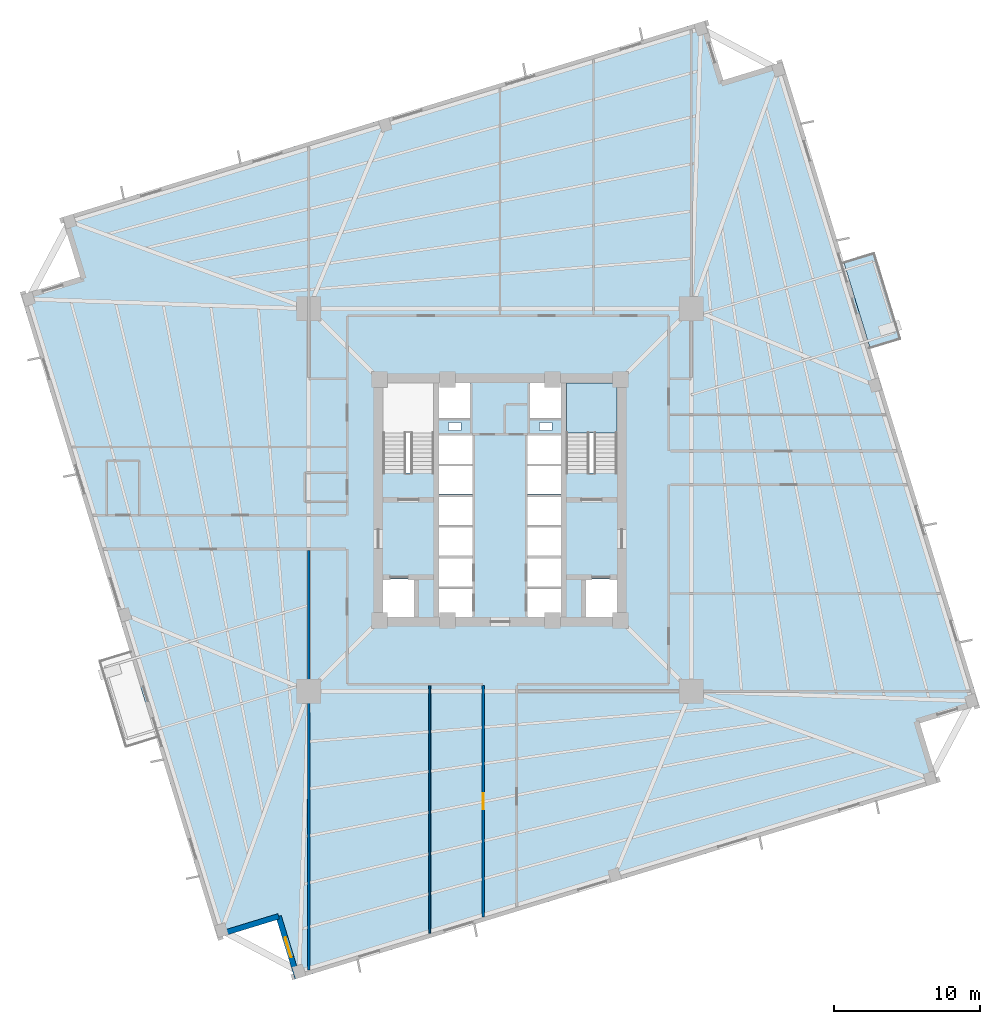
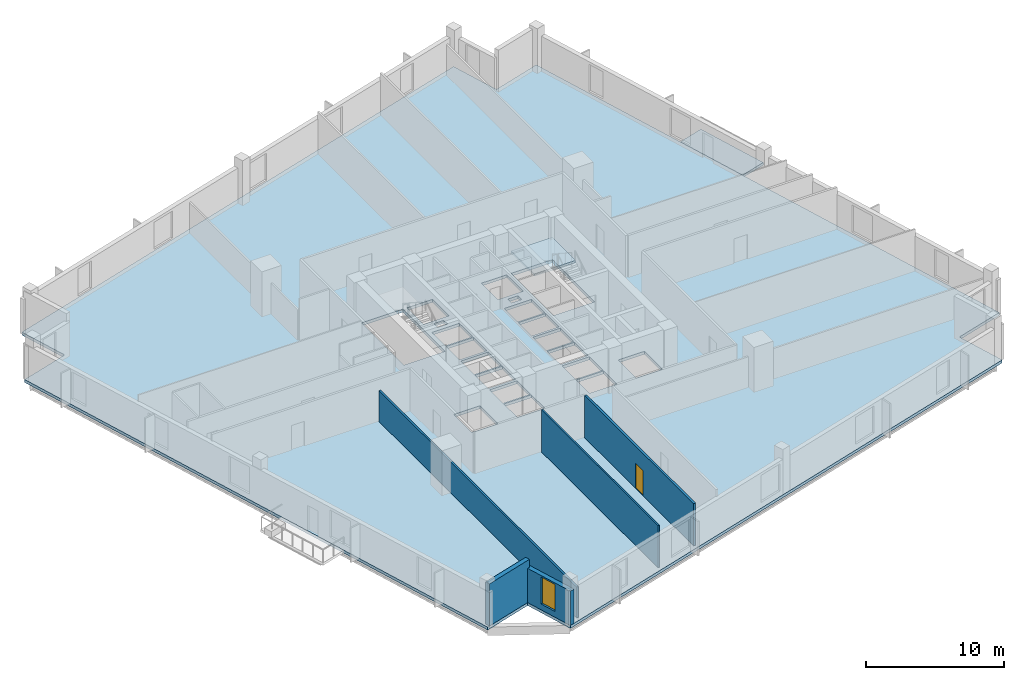
# One storey, part 2 of 9: 5 walls, 3 slabs, 1 door, 1 window, 2 openings, 1 element without a shape of its own.
"""IFC4 building model written with IfcOpenShell, lengths in metres."""

import ifcopenshell
import ifcopenshell.guid

model = None  # the IFC model being written
_history = None  # IfcOwnerHistory: only IFC2X3 demands one
_inside = {}  # id of a spatial element -> (the spatial element, [elements in it])
_under = {}  # id of a project, library or spatial element -> (it, [spatial elements below it])
_declared = {}  # id of a project -> (the project, [libraries it declares])
_typed = {}  # id of a type object -> (the type object, [elements of that type])
_made_of = {}  # id of a material, layer set ... -> (it, [elements and type objects made of it])


def new_model(schema):
    """Start an empty IFC model of exactly this schema.

    Asked for "IFC4X3", IfcOpenShell would pick the latest addendum, in which some entities
    have other attributes; the version numbers below select the first issue.
    IFC2X3 requires an IfcOwnerHistory on every rooted entity: one is made here for all.
    """
    global model, _history
    if schema == "IFC4X3":
        model = ifcopenshell.file(schema_version=(4, 3, 0, 0))
    else:
        model = ifcopenshell.file(schema=schema)
    _inside.clear()
    _under.clear()
    _declared.clear()
    _typed.clear()
    _made_of.clear()
    _history = None
    if model.schema == "IFC2X3":
        org = make("IfcOrganization", Name="unknown")
        user = make(
            "IfcPersonAndOrganization",
            ThePerson=make("IfcPerson", FamilyName="unknown"),
            TheOrganization=org,
        )
        app = make(
            "IfcApplication",
            ApplicationDeveloper=org,
            Version="unknown",
            ApplicationFullName="unknown",
            ApplicationIdentifier="unknown",
        )
        _history = make(
            "IfcOwnerHistory",
            OwningUser=user,
            OwningApplication=app,
            ChangeAction="ADDED",
            CreationDate=0,
        )
    return model


def make(cls, **values):
    """One entity of the class cls with the attributes given. An attribute that is None is left unset."""
    return model.create_entity(
        cls, **{name: value for name, value in values.items() if value is not None}
    )


def rooted(cls, **values):
    """An entity with a GlobalId (a new one), such as an element, a storey or a relation."""
    return make(cls, GlobalId=ifcopenshell.guid.new(), OwnerHistory=_history, **values)


def si_unit(unit_type, name, prefix=None):
    """IfcSIUnit, for example si_unit("LENGTHUNIT", "METRE", prefix="MILLI")."""
    return make("IfcSIUnit", UnitType=unit_type, Prefix=prefix, Name=name)


def assignment(units):
    """IfcUnitAssignment: the units of a project."""
    return None if units is None else make("IfcUnitAssignment", Units=units)


def point(xyz):
    """IfcCartesianPoint."""
    return None if xyz is None else make("IfcCartesianPoint", Coordinates=xyz)


def direction(xyz):
    """IfcDirection."""
    return None if xyz is None else make("IfcDirection", DirectionRatios=xyz)


def frame(location, z_axis=None, x_axis=None):
    """IfcAxis2Placement3D, a coordinate frame: its origin and axes. An axis left out is left unset."""
    return make(
        "IfcAxis2Placement3D",
        Location=point(location),
        Axis=direction(z_axis),
        RefDirection=direction(x_axis),
    )


def frame_2d(location, x_axis=None):
    """IfcAxis2Placement2D, a coordinate frame in the plane: its origin and x axis."""
    return make(
        "IfcAxis2Placement2D", Location=point(location), RefDirection=direction(x_axis)
    )


def origin():
    """The frame at (0, 0, 0) with its axes left unset."""
    return frame((0.0, 0.0, 0.0))


def place(relative_to, where):
    """IfcLocalPlacement: puts the frame where relative to a parent placement (None: the world)."""
    return make(
        "IfcLocalPlacement", PlacementRelTo=relative_to, RelativePlacement=where
    )


def context(
    kind, dimensions, precision=None, world=None, true_north=None, identifier=None
):
    """IfcGeometricRepresentationContext, for example the 3D "Model" context."""
    return make(
        "IfcGeometricRepresentationContext",
        ContextIdentifier=identifier,
        ContextType=kind,
        CoordinateSpaceDimension=dimensions,
        Precision=precision,
        WorldCoordinateSystem=world,
        TrueNorth=true_north,
    )


def subcontext(parent, identifier, kind, view, scale=None):
    """IfcGeometricRepresentationSubContext, for example "Body" below "Model"."""
    return make(
        "IfcGeometricRepresentationSubContext",
        ContextIdentifier=identifier,
        ContextType=kind,
        ParentContext=parent,
        TargetScale=scale,
        TargetView=view,
    )


def project(units=None, contexts=None):
    """IfcProject with its units and contexts."""
    return rooted(
        "IfcProject",
        Name="project",
        RepresentationContexts=contexts,
        UnitsInContext=assignment(units),
    )


def spatial(cls, under=None, at=None, **own):
    """A site, building, storey or space (cls), placed at a placement, below another one or the project."""
    s = rooted(cls, ObjectPlacement=at, **own)
    if under is not None:
        _under.setdefault(under.id(), (under, []))[1].append(s)
    return s


def polyline(points):
    """IfcPolyline through the points."""
    return make("IfcPolyline", Points=[point(p) for p in points])


def profile(cls, at=None, kind="AREA", **sizes):
    """A parametric profile (cls). Its sizes go by their IFC names, for example OverallWidth=200.0."""
    return make(cls, ProfileType=kind, Position=at, **sizes)


def rectangle(**sizes):
    """IfcRectangleProfileDef."""
    return profile("IfcRectangleProfileDef", **sizes)


def outline(outer, holes=None, kind="AREA"):
    """IfcArbitraryClosedProfileDef: a profile drawn as a closed curve; with holes, ...WithVoids."""
    if holes is None:
        return make("IfcArbitraryClosedProfileDef", ProfileType=kind, OuterCurve=outer)
    return make(
        "IfcArbitraryProfileDefWithVoids",
        ProfileType=kind,
        OuterCurve=outer,
        InnerCurves=holes,
    )


def extrude(swept, where, along, depth):
    """IfcExtrudedAreaSolid: the profile swept, set in the frame where, extruded along a direction by depth."""
    return make(
        "IfcExtrudedAreaSolid",
        SweptArea=swept,
        Position=where,
        ExtrudedDirection=direction(along),
        Depth=depth,
    )


def shape(context_of_items, identifier, shape_type, items):
    """IfcShapeRepresentation: the items that make up one representation, for example the "Body"."""
    return make(
        "IfcShapeRepresentation",
        ContextOfItems=context_of_items,
        RepresentationIdentifier=identifier,
        RepresentationType=shape_type,
        Items=items,
    )


def source(mapping_origin, context_of_items, identifier, shape_type, items):
    """IfcRepresentationMap: a shape defined once, which mapped items show again and again."""
    return make(
        "IfcRepresentationMap",
        MappingOrigin=mapping_origin,
        MappedRepresentation=shape(context_of_items, identifier, shape_type, items),
    )


def transform(
    local_origin,
    x_axis=None,
    y_axis=None,
    z_axis=None,
    scale=None,
    scale2=None,
    scale3=None,
    uniform=True,
):
    """IfcCartesianTransformationOperator3D, or its non-uniform kind. x_axis, y_axis, z_axis: its Axis1, 2, 3."""
    if uniform:
        return make(
            "IfcCartesianTransformationOperator3D",
            Axis1=direction(x_axis),
            Axis2=direction(y_axis),
            LocalOrigin=point(local_origin),
            Scale=scale,
            Axis3=direction(z_axis),
        )
    return make(
        "IfcCartesianTransformationOperator3DnonUniform",
        Axis1=direction(x_axis),
        Axis2=direction(y_axis),
        LocalOrigin=point(local_origin),
        Scale=scale,
        Axis3=direction(z_axis),
        Scale2=scale2,
        Scale3=scale3,
    )


def mapped(mapping_source, mapping_target):
    """IfcMappedItem: shows the shape of a source again, moved by a transform."""
    return make(
        "IfcMappedItem", MappingSource=mapping_source, MappingTarget=mapping_target
    )


def material(Name=None, Category=None):
    """IfcMaterial."""
    return make("IfcMaterial", Name=Name, Category=Category)


def layer(
    of_material, thickness, ventilated=None, Name=None, Category=None, Priority=None
):
    """IfcMaterialLayer: one layer of a wall or slab, of a material (None: an air gap)."""
    return make(
        "IfcMaterialLayer",
        Material=of_material,
        LayerThickness=thickness,
        IsVentilated=ventilated,
        Name=Name,
        Category=Category,
        Priority=Priority,
    )


def layer_set(layers, Name=None):
    """IfcMaterialLayerSet."""
    return make("IfcMaterialLayerSet", MaterialLayers=layers, LayerSetName=Name)


def made_of(thing, what):
    """Note that an element or type object is made of a material, layer set ...; save() writes the relation."""
    if what is not None:
        _made_of.setdefault(what.id(), (what, []))[1].append(thing)
    return thing


def type_object(cls, material=None, **own):
    """A type object (cls), such as IfcWallType, which elements share."""
    return made_of(rooted(cls, **own), material)


def element(
    cls,
    number,
    at=None,
    inside=None,
    cuts=None,
    type_object=None,
    material=None,
    context=None,
    identifier="Body",
    shape_type=None,
    held_by="IfcProductDefinitionShape",
    body=None,
    shapes=None,
    **own,
):
    """One element of the class cls, such as IfcWall. Its Tag is "e" and its number.

    at: its placement. inside: the storey or other place that contains it. cuts: it is an
    opening in that element (IfcRelVoidsElement). A single representation is given by context,
    identifier, shape_type and body (its items); several are given by shapes. held_by: the class
    of the entity that holds the representations. save() writes the other relations.
    """
    e = rooted(cls, Tag="e%d" % number, ObjectPlacement=at, **own)
    if body is not None:
        shapes = [shape(context, identifier, shape_type, body)]
    if shapes is not None:
        e.Representation = make(held_by, Representations=shapes)
    if inside is not None:
        _inside.setdefault(inside.id(), (inside, []))[1].append(e)
    if cuts is not None:
        rooted(
            "IfcRelVoidsElement", RelatingBuildingElement=cuts, RelatedOpeningElement=e
        )
    if type_object is not None:
        _typed.setdefault(type_object.id(), (type_object, []))[1].append(e)
    return made_of(e, material)


def fill(opening, filler):
    """IfcRelFillsElement: the door or window that sits in an opening."""
    return rooted(
        "IfcRelFillsElement",
        RelatingOpeningElement=opening,
        RelatedBuildingElement=filler,
    )


def aggregate(whole, parts):
    """IfcRelAggregates: a whole, such as a stair, and the parts it consists of."""
    return rooted("IfcRelAggregates", RelatingObject=whole, RelatedObjects=parts)


def save(model, path):
    """Write the relations noted so far, then the file.

    IfcRelAggregates (storeys below a building ...), IfcRelContainedInSpatialStructure (elements
    in a storey), IfcRelDefinesByType, IfcRelAssociatesMaterial and IfcRelDeclares: one each for
    every whole, place, type object, material and project.
    """
    for whole, parts in _under.values():
        aggregate(whole, parts)
    for where, things in _inside.values():
        rooted(
            "IfcRelContainedInSpatialStructure",
            RelatedElements=things,
            RelatingStructure=where,
        )
    for kind, things in _typed.values():
        rooted("IfcRelDefinesByType", RelatedObjects=things, RelatingType=kind)
    for what, things in _made_of.values():
        rooted("IfcRelAssociatesMaterial", RelatedObjects=things, RelatingMaterial=what)
    for by, libraries in _declared.values():
        rooted("IfcRelDeclares", RelatingContext=by, RelatedDefinitions=libraries)
    model.write(path)


model = new_model("IFC4")

# Units and contexts
model_context = context("Model", 3, precision=1e-05, world=origin(), true_north=direction((0.0, 1.0)))
body_context = subcontext(model_context, "Body", "Model", "MODEL_VIEW")
ifc_project = project(units=[si_unit("LENGTHUNIT", "METRE"), si_unit("AREAUNIT", "SQUARE_METRE"), si_unit("VOLUMEUNIT", "CUBIC_METRE"), si_unit("PLANEANGLEUNIT", "RADIAN"), si_unit("MASSUNIT", "GRAM", prefix="KILO"), si_unit("THERMODYNAMICTEMPERATUREUNIT", "KELVIN")], contexts=[model_context])

# Site, building, storey
site_placement = place(None, origin())
site = spatial("IfcSite", under=ifc_project, at=site_placement, CompositionType="ELEMENT")
building_placement = place(site_placement, origin())
building = spatial("IfcBuilding", under=site, at=building_placement, Name="Kosmvard Interchange Tower", CompositionType="ELEMENT")
storey_placement = place(building_placement, frame((0.0, 0.0, 119.199951171875)))
storey = spatial("IfcBuildingStorey", under=building, at=storey_placement, Name="L28", CompositionType="ELEMENT", Elevation=119.199951171875)

# Slab
ifc_material_1 = material(Name="Concrete C50/60", Category="concrete")
ifc_layer_1 = layer(ifc_material_1, 0.260009765625, Name="Concrete C50/60")
ifc_layer_set_1 = layer_set([ifc_layer_1], Name="Concrete C50/60")
slab_type_1 = type_object("IfcSlabType", Name="Mid-Rise Office Composite Slab 260 C50/60", PredefinedType="FLOOR", material=ifc_layer_set_1)
slab_1_placement = place(storey_placement, frame((0.0, 0.0, -0.260009765625)))
element("IfcSlab", 1, at=slab_1_placement, inside=storey, type_object=slab_type_1, Name="L28 Structural Floor Slab", PredefinedType="FLOOR", context=body_context, shape_type="SweptSolid", body=[
    extrude(outline(polyline([(-14.02783203125, -32.783935546875), (29.962158203125, -19.334716796875), (28.719482421875, -15.2705078125), (32.783935546875, -14.02783203125), (19.334716796875, 29.962158203125), (15.2705078125, 28.719482421875), (14.02783203125, 32.783935546875), (-29.962158203125, 19.334716796875), (-28.719482421875, 15.2705078125), (-32.783935546875, 14.02783203125), (-19.334716796875, -29.962158203125), (-15.2705078125, -28.719482421875), (-14.02783203125, -32.783935546875)]), holes=[polyline([(-8.0, 1.8349609375), (-4.5400390625, 1.8349609375), (-4.5400390625, 8.0), (-8.0, 8.0), (-8.0, 1.8349609375)]), polyline([(4.5400390625, 1.8349609375), (8.0, 1.8349609375), (8.0, 8.0), (4.5400390625, 8.0), (4.5400390625, 1.8349609375)]), polyline([(-8.0, -8.0), (-5.800048828125, -8.0), (-5.800048828125, -5.39990234375), (-8.0, -5.39990234375), (-8.0, -8.0)]), polyline([(5.800048828125, -8.0), (8.0, -8.0), (8.0, -5.39990234375), (5.800048828125, -5.39990234375), (5.800048828125, -8.0)]), polyline([(-4.179931640625, -8.0), (-1.8798828125, -8.0), (-1.8798828125, -6.06005859375), (-4.179931640625, -6.06005859375), (-4.179931640625, -8.0)]), polyline([(-4.179931640625, -5.93994140625), (-1.8798828125, -5.93994140625), (-1.8798828125, -4.0), (-4.179931640625, -4.0), (-4.179931640625, -5.93994140625)]), polyline([(1.8798828125, -8.0), (4.179931640625, -8.0), (4.179931640625, -6.06005859375), (1.8798828125, -6.06005859375), (1.8798828125, -8.0)]), polyline([(1.8798828125, -5.93994140625), (4.179931640625, -5.93994140625), (4.179931640625, -4.0), (1.8798828125, -4.0), (1.8798828125, -5.93994140625)]), polyline([(-4.179931640625, -3.800048828125), (-1.8798828125, -3.800048828125), (-1.8798828125, -1.860107421875), (-4.179931640625, -1.860107421875), (-4.179931640625, -3.800048828125)]), polyline([(-4.179931640625, -1.739990234375), (-1.8798828125, -1.739990234375), (-1.8798828125, 0.199951171875), (-4.179931640625, 0.199951171875), (-4.179931640625, -1.739990234375)]), polyline([(1.8798828125, -3.800048828125), (4.179931640625, -3.800048828125), (4.179931640625, -1.860107421875), (1.8798828125, -1.860107421875), (1.8798828125, -3.800048828125)]), polyline([(1.8798828125, -1.739990234375), (4.179931640625, -1.739990234375), (4.179931640625, 0.199951171875), (1.8798828125, 0.199951171875), (1.8798828125, -1.739990234375)]), polyline([(-4.179931640625, 0.39990234375), (-1.8798828125, 0.39990234375), (-1.8798828125, 2.340087890625), (-4.179931640625, 2.340087890625), (-4.179931640625, 0.39990234375)]), polyline([(-4.179931640625, 2.4599609375), (-1.8798828125, 2.4599609375), (-1.8798828125, 4.39990234375), (-4.179931640625, 4.39990234375), (-4.179931640625, 2.4599609375)]), polyline([(1.8798828125, 0.39990234375), (4.179931640625, 0.39990234375), (4.179931640625, 2.340087890625), (1.8798828125, 2.340087890625), (1.8798828125, 0.39990234375)]), polyline([(1.8798828125, 2.4599609375), (4.179931640625, 2.4599609375), (4.179931640625, 4.39990234375), (1.8798828125, 4.39990234375), (1.8798828125, 2.4599609375)]), polyline([(-4.179931640625, 5.60009765625), (-2.0400390625, 5.60009765625), (-2.0400390625, 8.0), (-4.179931640625, 8.0), (-4.179931640625, 5.60009765625)]), polyline([(2.0400390625, 5.60009765625), (4.179931640625, 5.60009765625), (4.179931640625, 8.0), (2.0400390625, 8.0), (2.0400390625, 5.60009765625)]), polyline([(-3.514892578125, 4.739990234375), (-2.6650390625, 4.739990234375), (-2.6650390625, 5.2900390625), (-3.514892578125, 5.2900390625), (-3.514892578125, 4.739990234375)]), polyline([(2.715087890625, 4.739990234375), (3.56494140625, 4.739990234375), (3.56494140625, 5.2900390625), (2.715087890625, 5.2900390625), (2.715087890625, 4.739990234375)])]), origin(), (0.0, 0.0, 1.0), 0.260009765625),
])

# Stair, slab
stair_type = type_object("IfcStairType", Name="Dog-Leg Core Exit Stair H4000 C50/60", PredefinedType="HALF_TURN_STAIR", material=ifc_material_1)
stair_placement = place(storey_placement, origin())
stair = element("IfcStair", 2, at=stair_placement, inside=storey, type_object=stair_type, Name="L28 Protected Exit Stair ST-2", PredefinedType="HALF_TURN_STAIR")
ifc_layer_2 = layer(ifc_material_1, 0.199951171875, Name="Concrete C50/60")
ifc_layer_set_2 = layer_set([ifc_layer_2], Name="Concrete C50/60")
slab_type_2 = type_object("IfcSlabType", Name="Stair Half-Landing Slab 200 C50/60", PredefinedType="LANDING", material=ifc_layer_set_2)
slab_2_placement = place(storey_placement, frame((0.0, 0.0, 1.800048828125)))
slab_2 = element("IfcSlab", 3, at=slab_2_placement, type_object=slab_type_2, Name="ST-2 landing 1", PredefinedType="LANDING", context=body_context, shape_type="SweptSolid", body=[
    extrude(outline(polyline([(8.0, 4.60009765625), (8.0, 8.0), (4.5400390625, 8.0), (4.5400390625, 4.60009765625), (8.0, 4.60009765625)])), origin(), (0.0, 0.0, 1.0), 0.199951171875),
])
aggregate(stair, [slab_2])

# Slab
ifc_layer_3 = layer(ifc_material_1, 0.22998046875, Name="Concrete C50/60")
ifc_layer_set_3 = layer_set([ifc_layer_3], Name="Concrete C50/60")
slab_type_3 = type_object("IfcSlabType", Name="Tree-Planter Cantilever Balcony Slab 230 C50/60", PredefinedType="FLOOR", material=ifc_layer_set_3)
slab_3_placement = place(storey_placement, frame((0.0, 0.0, -0.22998046875)))
element("IfcSlab", 4, at=slab_3_placement, inside=storey, type_object=slab_type_3, Name="L28 Outdoor Terrace Balcony Slab BAL-L28-E", PredefinedType="FLOOR", context=body_context, shape_type="SweptSolid", body=[
    extrude(outline(polyline([(25.328369140625, 10.35791015625), (27.43212890625, 11.001220703125), (25.61962890625, 16.93017578125), (23.515625, 16.286865234375), (25.328369140625, 10.35791015625)])), origin(), (0.0, 0.0, 1.0), 0.22998046875),
])

# Wall
ifc_material_2 = material(Name="Acoustic gypsum partition system")
ifc_layer_4 = layer(ifc_material_2, 0.14990234375, Name="Acoustic gypsum partition system")
ifc_layer_set_4 = layer_set([ifc_layer_4], Name="Acoustic gypsum partition system")
wall_type_1 = type_object("IfcWallType", Name="Acoustic Suite & Meeting Partition 150", PredefinedType="PARTITIONING", material=ifc_layer_set_4)
wall_1_placement = place(storey_placement, frame((-13.0810546875, -32.1650390625, 0.0), z_axis=(0.0, 0.0, 1.0), x_axis=(0.0, 1.0, 0.0)))
element("IfcWall", 5, at=wall_1_placement, inside=storey, type_object=wall_type_1, Name="L28 Room Partition 11.1", PredefinedType="PARTITIONING", context=body_context, shape_type="SweptSolid", body=[
    extrude(rectangle(XDim=28.719970703125, YDim=0.14990234375, at=frame_2d((14.35986328125, 0.0))), origin(), (0.0, 0.0, 1.0), 2.73193359375),
])

# Wall, opening, door
ifc_material_3 = material(Name="Fire-rated gypsum partition system")
ifc_layer_5 = layer(ifc_material_3, 0.179931640625, Name="Fire-rated gypsum partition system")
ifc_layer_set_5 = layer_set([ifc_layer_5], Name="Fire-rated gypsum partition system")
wall_type_2 = type_object("IfcWallType", Name="Corridor & Hotel Compartment Partition 180", PredefinedType="PARTITIONING", material=ifc_layer_set_5)
wall_2_placement = place(storey_placement, frame((-1.14990234375, -28.517333984375, 0.0), z_axis=(0.0, 0.0, 1.0), x_axis=(0.0, 1.0, 0.0)))
wall_2 = element("IfcWall", 6, at=wall_2_placement, inside=storey, type_object=wall_type_2, Name="L28 Corridor Wall SSW", PredefinedType="PARTITIONING", context=body_context, shape_type="SweptSolid", body=[
    extrude(rectangle(XDim=15.8173828125, YDim=0.179931640625, at=frame_2d((7.90869140625, 0.0))), origin(), (0.0, 0.0, 1.0), 3.739990234375),
])
opening_1_placement = place(wall_2_placement, frame((7.358642578125, 0.0, 0.0)))
opening_1 = element("IfcOpeningElement", 7, at=opening_1_placement, cuts=wall_2, Name="Opening L28-D15", PredefinedType="OPENING", context=body_context, shape_type="SweptSolid", body=[
    extrude(rectangle(XDim=1.10009765625, YDim=2.199951171875, at=frame_2d((0.550048828125, 1.10009765625))), frame((0.0, 0.10009765625, 0.0), z_axis=(0.0, -1.0, 0.0), x_axis=(1.0, 0.0, 0.0)), (0.0, 0.0, 1.0), 0.199951171875),
])
ifc_material_4 = material(Name="Engineered oak fire-rated timber", Category="wood")
door_type = type_object("IfcDoorType", Name="Office Suite Entrance Door 1100x2200 FD30S", OperationType="NOTDEFINED", PredefinedType="DOOR", material=ifc_material_4)
shared_shape_1 = source(origin(), body_context, "Body", "SweptSolid", [
    extrude(rectangle(XDim=1.10009765625, YDim=2.199951171875, at=frame_2d((0.550048828125, 1.10009765625))), frame((0.0, 0.02490234375, 0.0), z_axis=(0.0, -1.0, 0.0), x_axis=(1.0, 0.0, 0.0)), (0.0, 0.0, 1.0), 0.050048828125),
])
door_placement = place(opening_1_placement, origin())
door = element("IfcDoor", 8, at=door_placement, inside=storey, type_object=door_type, Name="L28 Quiet Reading Study Door", OperationType="SINGLE_SWING_LEFT", OverallHeight=2.199951171875, OverallWidth=1.10009765625, PredefinedType="DOOR", context=body_context, shape_type="MappedRepresentation", body=[
    mapped(shared_shape_1, transform((0.0, 0.0, 0.0), scale=1.0)),
])
fill(opening_1, door)

# Wall
ifc_material_5 = material(Name="Precast concrete C45/55", Category="concrete")
ifc_layer_6 = layer(ifc_material_5, 0.3798828125, Name="Precast concrete C45/55")
ifc_layer_set_6 = layer_set([ifc_layer_6], Name="Precast concrete C45/55")
wall_type_3 = type_object("IfcWallType", Name="Lower Tower Precast Pier Wall 380 C45/55", PredefinedType="STANDARD", material=ifc_layer_set_6)
wall_3_placement = place(storey_placement, frame((-19.20849609375, -29.724853515625, 0.0), z_axis=(0.0, 0.0, 1.0), x_axis=(0.956312764915, 0.292345507338, 0.0)))
element("IfcWall", 9, at=wall_3_placement, inside=storey, type_object=wall_type_3, Name="L28 Precast Facade Wall N-SW1", PredefinedType="STANDARD", context=body_context, shape_type="SweptSolid", body=[
    extrude(rectangle(XDim=4.249755859375, YDim=0.3798828125, at=frame_2d((2.125, 0.0))), origin(), (0.0, 0.0, 1.0), 3.739990234375),
])

# Wall, opening, window
wall_4_placement = place(storey_placement, frame((-15.144287109375, -28.482421875, 0.0), z_axis=(0.0, 0.0, 1.0), x_axis=(0.292373601522, -0.956304176051, 0.0)))
wall_4 = element("IfcWall", 10, at=wall_4_placement, inside=storey, type_object=wall_type_3, Name="L28 Precast Facade Wall N-SW2", PredefinedType="STANDARD", context=body_context, shape_type="SweptSolid", body=[
    extrude(rectangle(XDim=4.43994140625, YDim=0.3798828125, at=frame_2d((2.219970703125, 0.0))), origin(), (0.0, 0.0, 1.0), 3.0400390625),
])
opening_2_placement = place(wall_4_placement, frame((1.52001953125, 0.0, 0.510009765625)))
opening_2 = element("IfcOpeningElement", 11, at=opening_2_placement, cuts=wall_4, Name="Opening L28-W23", PredefinedType="OPENING", context=body_context, shape_type="SweptSolid", body=[
    extrude(rectangle(XDim=1.39990234375, YDim=2.39990234375, at=frame_2d((0.699951171875, 1.199951171875))), frame((0.0, 0.199951171875, 0.0), z_axis=(0.0, -1.0, 0.0), x_axis=(1.0, 0.0, 0.0)), (0.0, 0.0, 1.0), 0.39990234375),
])
ifc_material_6 = material(Name="Low-E solar-control double glazing", Category="glass")
window_type = type_object("IfcWindowType", Name="Notched Corner Feature Window 1400x2400", PartitioningType="SINGLE_PANEL", PredefinedType="WINDOW", material=ifc_material_6)
shared_shape_2 = source(origin(), body_context, "Body", "SweptSolid", [
    extrude(rectangle(XDim=1.39990234375, YDim=2.39990234375, at=frame_2d((0.699951171875, 1.199951171875))), frame((0.0, 0.030029296875, 0.0), z_axis=(0.0, -1.0, 0.0), x_axis=(1.0, 0.0, 0.0)), (0.0, 0.0, 1.0), 0.06005859375),
])
window_placement = place(opening_2_placement, origin())
window = element("IfcWindow", 12, at=window_placement, inside=storey, type_object=window_type, Name="L28 Corner Notch Window 23", OverallHeight=2.39990234375, OverallWidth=1.39990234375, PartitioningType="SINGLE_PANEL", PredefinedType="WINDOW", context=body_context, shape_type="MappedRepresentation", body=[
    mapped(shared_shape_2, transform((0.0, 0.0, 0.0), scale=1.0)),
])
fill(opening_2, window)

# Wall
ifc_material_7 = material(Name="Gypsum board partition system")
ifc_layer_7 = layer(ifc_material_7, 0.1201171875, Name="Gypsum board partition system")
ifc_layer_set_7 = layer_set([ifc_layer_7], Name="Gypsum board partition system")
wall_type_4 = type_object("IfcWallType", Name="Office Cellular Partition 120", PredefinedType="PARTITIONING", material=ifc_layer_set_7)
wall_5_placement = place(storey_placement, frame((-4.800048828125, -29.63330078125, 0.0), z_axis=(0.0, 0.0, 1.0), x_axis=(0.0, 1.0, 0.0)))
element("IfcWall", 13, at=wall_5_placement, inside=storey, type_object=wall_type_4, Name="L28 Room Partition 12.1", PredefinedType="PARTITIONING", context=body_context, shape_type="SweptSolid", body=[
    extrude(rectangle(XDim=16.938232421875, YDim=0.1201171875, at=frame_2d((8.46923828125, 0.0))), origin(), (0.0, 0.0, 1.0), 3.739990234375),
])

save(model, "model.ifc")
